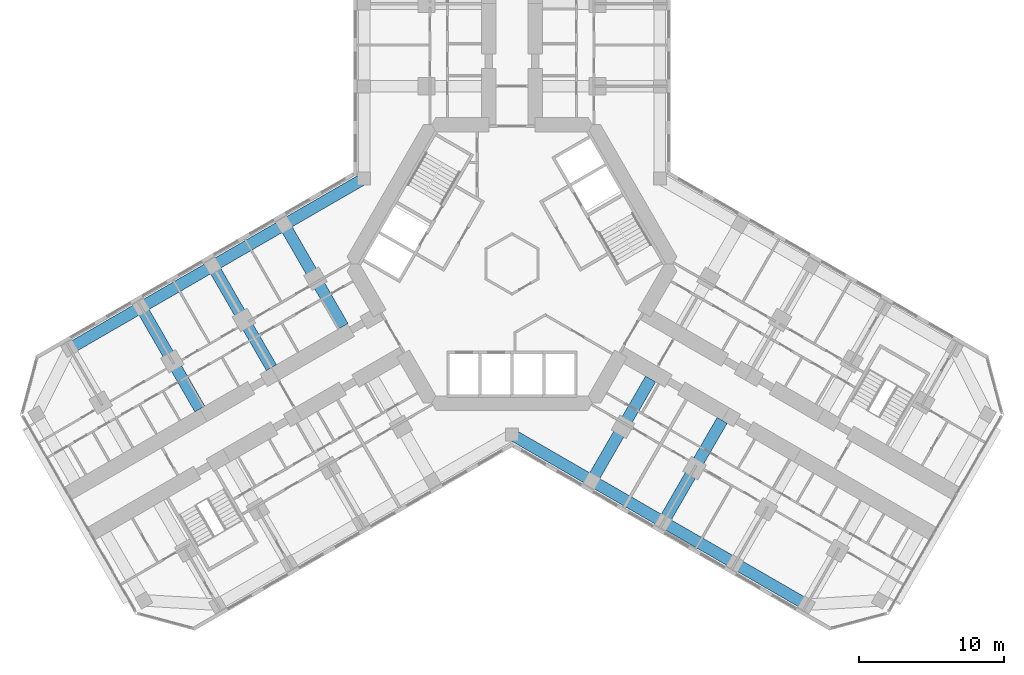
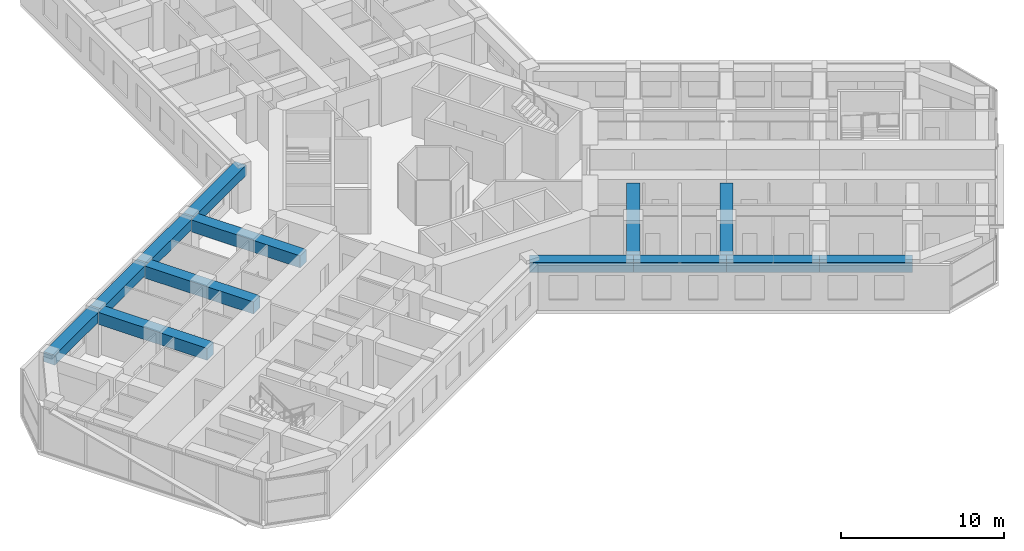
# One storey, part 4 of 21: 13 beams.
"""IFC4 building model written with IfcOpenShell, lengths in metres."""

from ifc_helpers import new_model, si_unit, direction, frame, origin, origin_2d, place, context, subcontext, project, spatial, rectangle, extrude, material, material_profile, profile_set, type_object, element, save


model = new_model("IFC4")

# Units and contexts
model_context = context("Model", 3, precision=1e-05, world=origin(), true_north=direction((0.0, 1.0)))
body_context = subcontext(model_context, "Body", "Model", "MODEL_VIEW")
ifc_project = project(units=[si_unit("LENGTHUNIT", "METRE"), si_unit("AREAUNIT", "SQUARE_METRE"), si_unit("VOLUMEUNIT", "CUBIC_METRE"), si_unit("PLANEANGLEUNIT", "RADIAN"), si_unit("MASSUNIT", "GRAM", prefix="KILO")], contexts=[model_context])

# Site, building, storey
site_placement = place(None, origin())
site = spatial("IfcSite", under=ifc_project, at=site_placement, CompositionType="ELEMENT")
building_placement = place(site_placement, origin())
building = spatial("IfcBuilding", under=site, at=building_placement, Name="Kosmar Iwan School Tower", CompositionType="ELEMENT")
storey_placement = place(building_placement, frame((0.0, 0.0, 80.800048828125)))
storey = spatial("IfcBuildingStorey", under=building, at=storey_placement, Name="L19", CompositionType="ELEMENT", Elevation=80.800048828125)

# Beams
ifc_material_1 = material(Name="Concrete C50/60", Category="concrete")
ifc_material_profile_1 = material_profile(ifc_material_1, rectangle(XDim=0.800048828125, YDim=0.75, at=origin_2d()), Name="RC 800x750")
ifc_profile_set_1 = profile_set([ifc_material_profile_1], Name="Concrete C50/60")
beam_type_1 = type_object("IfcBeamType", Name="RC edge beam 800x750", PredefinedType="BEAM", material=ifc_profile_set_1)
beam_1_placement = place(storey_placement, frame((-10.199951171875, 5.888916015625, 2.974853515625), z_axis=(-0.866030912664, -0.49999045822, 0.0), x_axis=(0.49999045822, -0.866030912664, 0.0)))
element("IfcBeam", 1, at=beam_1_placement, inside=storey, type_object=beam_type_1, Name="Edge beam BR1", PredefinedType="BEAM", context=body_context, shape_type="SweptSolid", body=[
    extrude(rectangle(XDim=0.800048828125, YDim=0.75, at=origin_2d()), origin(), (0.0, 0.0, 1.0), 6.36083984375),
])
beam_2_placement = place(storey_placement, frame((-15.708740234375, 2.70849609375, 2.974853515625), z_axis=(-0.866025820012, -0.499999279071, 0.0), x_axis=(0.499999279071, -0.866025820012, 0.0)))
element("IfcBeam", 2, at=beam_2_placement, inside=storey, type_object=beam_type_1, Name="Edge beam BR2", PredefinedType="BEAM", context=body_context, shape_type="SweptSolid", body=[
    extrude(rectangle(XDim=0.800048828125, YDim=0.75, at=origin_2d()), origin(), (0.0, 0.0, 1.0), 5.7001953125),
])
for number, where, z_axis, x_axis, name in (
    (3, (-20.645263671875, -0.1416015625, 2.974853515625), (-0.866033658841, -0.49998570155, 0.0), (0.49998570155, -0.866033658841, 0.0), "Edge beam BR3"),
    (4, (-25.58154296875, -2.991455078125, 2.974853515625), (-0.866015111908, -0.50001782563, 0.0), (0.50001782563, -0.866015111908, 0.0), "Edge beam BR4"),
):
    element("IfcBeam", number, at=place(storey_placement, frame(where, z_axis=z_axis, x_axis=x_axis)), inside=storey, type_object=beam_type_1, Name=name, PredefinedType="BEAM", context=body_context, shape_type="SweptSolid", body=[
        extrude(rectangle(XDim=0.800048828125, YDim=0.75, at=origin_2d()), origin(), (0.0, 0.0, 1.0), 5.699951171875),
    ])
beam_3_placement = place(storey_placement, frame((0.0, -11.77783203125, 2.974853515625), z_axis=(0.866014293216, -0.500019243575, 0.0), x_axis=(0.500019243575, 0.866014293216, 0.0)))
element("IfcBeam", 5, at=beam_3_placement, inside=storey, type_object=beam_type_1, Name="Edge beam CR1", PredefinedType="BEAM", context=body_context, shape_type="SweptSolid", body=[
    extrude(rectangle(XDim=0.800048828125, YDim=0.75, at=origin_2d()), origin(), (0.0, 0.0, 1.0), 6.361083984375),
])
beam_4_placement = place(storey_placement, frame((5.5087890625, -14.95849609375, 2.974853515625), z_axis=(0.866033658841, -0.49998570155, 0.0), x_axis=(0.49998570155, 0.866033658841, 0.0)))
element("IfcBeam", 6, at=beam_4_placement, inside=storey, type_object=beam_type_1, Name="Edge beam CR2", PredefinedType="BEAM", context=body_context, shape_type="SweptSolid", body=[
    extrude(rectangle(XDim=0.800048828125, YDim=0.75, at=origin_2d()), origin(), (0.0, 0.0, 1.0), 5.699951171875),
])
beam_5_placement = place(storey_placement, frame((10.445068359375, -17.808349609375, 2.974853515625), z_axis=(0.866025820012, -0.499999279071, 0.0), x_axis=(0.499999279071, 0.866025820012, 0.0)))
element("IfcBeam", 7, at=beam_5_placement, inside=storey, type_object=beam_type_1, Name="Edge beam CR3", PredefinedType="BEAM", context=body_context, shape_type="SweptSolid", body=[
    extrude(rectangle(XDim=0.800048828125, YDim=0.75, at=origin_2d()), origin(), (0.0, 0.0, 1.0), 5.7001953125),
])
beam_6_placement = place(storey_placement, frame((15.381591796875, -20.658447265625, 2.974853515625), z_axis=(0.866015111908, -0.50001782563, 0.0), x_axis=(0.50001782563, 0.866015111908, 0.0)))
element("IfcBeam", 8, at=beam_6_placement, inside=storey, type_object=beam_type_1, Name="Edge beam CR4", PredefinedType="BEAM", context=body_context, shape_type="SweptSolid", body=[
    extrude(rectangle(XDim=0.800048828125, YDim=0.75, at=origin_2d()), origin(), (0.0, 0.0, 1.0), 5.699951171875),
])
ifc_material_2 = material(Name="Concrete C50/60", Category="concrete")
ifc_material_profile_2 = material_profile(ifc_material_2, rectangle(XDim=0.800048828125, YDim=0.89990234375, at=origin_2d()), Name="RC 800x900")
ifc_profile_set_2 = profile_set([ifc_material_profile_2], Name="Concrete C50/60")
beam_type_2 = type_object("IfcBeamType", Name="RC transverse beam 800x900", PredefinedType="BEAM", material=ifc_profile_set_2)
beam_7_placement = place(storey_placement, frame((-15.708740234375, 2.70849609375, 2.89990234375), z_axis=(0.499999880539, -0.866025472755, 0.0), x_axis=(0.866025472755, 0.499999880539, 0.0)))
element("IfcBeam", 9, at=beam_7_placement, inside=storey, type_object=beam_type_2, Name="Transverse beam BR1", PredefinedType="BEAM", context=body_context, shape_type="SweptSolid", body=[
    extrude(rectangle(XDim=0.800048828125, YDim=0.89990234375, at=origin_2d()), origin(), (0.0, 0.0, 1.0), 8.10009765625),
])
beam_8_placement = place(storey_placement, frame((-20.645263671875, -0.1416015625, 2.89990234375), z_axis=(0.500012932018, -0.866017937352, 0.0), x_axis=(0.866017937352, 0.500012932018, 0.0)))
element("IfcBeam", 10, at=beam_8_placement, inside=storey, type_object=beam_type_2, Name="Transverse beam BR2", PredefinedType="BEAM", context=body_context, shape_type="SweptSolid", body=[
    extrude(rectangle(XDim=0.800048828125, YDim=0.89990234375, at=origin_2d()), origin(), (0.0, 0.0, 1.0), 8.099853515625),
])
for number, where, z_axis, x_axis, name in (
    (11, (-25.58154296875, -2.991455078125, 2.89990234375), (0.499999880539, -0.866025472755, 0.0), (0.866025472755, 0.499999880539, 0.0), "Transverse beam BR3"),
    (12, (5.5087890625, -14.95849609375, 2.89990234375), (0.499999880539, 0.866025472755, 0.0), (-0.866025472755, 0.499999880539, 0.0), "Transverse beam CR1"),
):
    element("IfcBeam", number, at=place(storey_placement, frame(where, z_axis=z_axis, x_axis=x_axis)), inside=storey, type_object=beam_type_2, Name=name, PredefinedType="BEAM", context=body_context, shape_type="SweptSolid", body=[
        extrude(rectangle(XDim=0.800048828125, YDim=0.89990234375, at=origin_2d()), origin(), (0.0, 0.0, 1.0), 8.10009765625),
    ])
beam_9_placement = place(storey_placement, frame((10.445068359375, -17.808349609375, 2.89990234375), z_axis=(0.500012932018, 0.866017937352, 0.0), x_axis=(-0.866017937352, 0.500012932018, 0.0)))
element("IfcBeam", 13, at=beam_9_placement, inside=storey, type_object=beam_type_2, Name="Transverse beam CR2", PredefinedType="BEAM", context=body_context, shape_type="SweptSolid", body=[
    extrude(rectangle(XDim=0.800048828125, YDim=0.89990234375, at=origin_2d()), origin(), (0.0, 0.0, 1.0), 8.099853515625),
])

save(model, "model.ifc")
